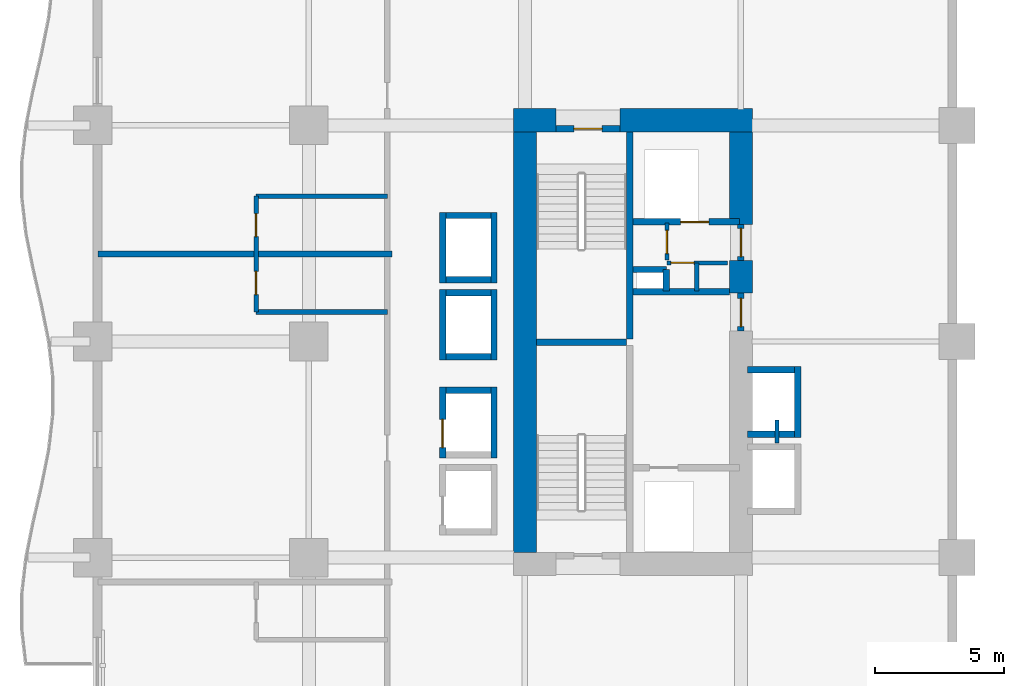
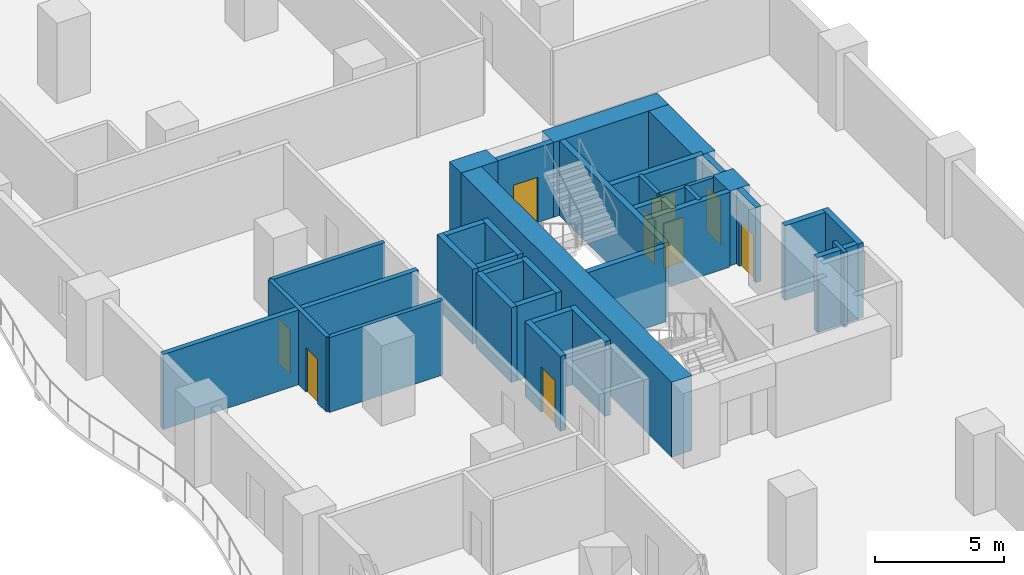
# One storey, part 10 of 20: 36 walls, 9 doors, 9 openings.
"""IFC4 building model written with IfcOpenShell, lengths in metres."""

from ifc_helpers import new_model, si_unit, direction, frame, frame_2d, origin, place, context, subcontext, project, spatial, rectangle, extrude, material, layer, layer_set, type_object, element, fill, save


model = new_model("IFC4")

# Units and contexts
model_context = context("Model", 3, precision=1e-05, world=origin(), true_north=direction((0.0, 1.0)))
body_context = subcontext(model_context, "Body", "Model", "MODEL_VIEW")
ifc_project = project(units=[si_unit("LENGTHUNIT", "METRE"), si_unit("AREAUNIT", "SQUARE_METRE"), si_unit("VOLUMEUNIT", "CUBIC_METRE"), si_unit("PLANEANGLEUNIT", "RADIAN"), si_unit("MASSUNIT", "GRAM", prefix="KILO")], contexts=[model_context])

# Site, building, storey
site_placement = place(None, origin())
site = spatial("IfcSite", under=ifc_project, at=site_placement, CompositionType="ELEMENT")
building_placement = place(site_placement, origin())
building = spatial("IfcBuilding", under=site, at=building_placement, Name="Koriwani Terraces Tower", CompositionType="ELEMENT")
storey_placement = place(building_placement, frame((0.0, 0.0, 73.800048828125)))
storey = spatial("IfcBuildingStorey", under=building, at=storey_placement, Name="L17", CompositionType="ELEMENT", Elevation=73.800048828125)

# Walls
ifc_material_1 = material(Name="Concrete C60/75", Category="concrete")
ifc_layer_1 = layer(ifc_material_1, 0.89990234375, Name="Concrete C60/75")
ifc_layer_set_1 = layer_set([ifc_layer_1], Name="Concrete C60/75")
wall_type_1 = type_object("IfcWallType", Name="WALL_CORE_RC_900", PredefinedType="SHEAR", material=ifc_layer_set_1)
wall_1_placement = place(storey_placement, frame((16.35009765625, 59.0, 0.0), z_axis=(0.0, 0.0, 1.0), x_axis=(1.0, 0.0, 0.0)))
element("IfcWall", 1, at=wall_1_placement, inside=storey, type_object=wall_type_1, Name="L17 West Split Core Shear Wall N1", PredefinedType="SHEAR", context=body_context, shape_type="SweptSolid", body=[
    extrude(rectangle(XDim=1.64990234375, YDim=0.89990234375, at=frame_2d((0.824951171875, 0.0))), origin(), (0.0, 0.0, 1.0), 3.550048828125),
])
wall_2_placement = place(storey_placement, frame((20.5, 59.0, 0.0), z_axis=(0.0, 0.0, 1.0), x_axis=(1.0, 0.0, 0.0)))
element("IfcWall", 2, at=wall_2_placement, inside=storey, type_object=wall_type_1, Name="L17 West Split Core Shear Wall N2", PredefinedType="SHEAR", context=body_context, shape_type="SweptSolid", body=[
    extrude(rectangle(XDim=5.14990234375, YDim=0.89990234375, at=frame_2d((2.574951171875, 0.0))), origin(), (0.0, 0.0, 1.0), 3.550048828125),
])
wall_3_placement = place(storey_placement, frame((16.800048828125, 42.199951171875, 0.0), z_axis=(0.0, 0.0, 1.0), x_axis=(0.0, 1.0, 0.0)))
element("IfcWall", 3, at=wall_3_placement, inside=storey, type_object=wall_type_1, Name="L17 West Split Core Shear Wall W1", PredefinedType="SHEAR", context=body_context, shape_type="SweptSolid", body=[
    extrude(rectangle(XDim=16.35009765625, YDim=0.89990234375, at=frame_2d((8.175048828125, 0.0))), origin(), (0.0, 0.0, 1.0), 3.550048828125),
])
wall_4_placement = place(storey_placement, frame((25.199951171875, 52.280029296875, 0.0), z_axis=(0.0, 0.0, 1.0), x_axis=(0.0, 1.0, 0.0)))
element("IfcWall", 4, at=wall_4_placement, inside=storey, type_object=wall_type_1, Name="L17 West Split Core Shear Wall E2", PredefinedType="SHEAR", context=body_context, shape_type="SweptSolid", body=[
    extrude(rectangle(XDim=1.27001953125, YDim=0.89990234375, at=frame_2d((0.635009765625, 0.0))), origin(), (0.0, 0.0, 1.0), 3.550048828125),
])
wall_5_placement = place(storey_placement, frame((25.199951171875, 54.949951171875, 0.0), z_axis=(0.0, 0.0, 1.0), x_axis=(0.0, 1.0, 0.0)))
element("IfcWall", 5, at=wall_5_placement, inside=storey, type_object=wall_type_1, Name="L17 West Split Core Shear Wall E3", PredefinedType="SHEAR", context=body_context, shape_type="SweptSolid", body=[
    extrude(rectangle(XDim=3.60009765625, YDim=0.89990234375, at=frame_2d((1.800048828125, 0.0))), origin(), (0.0, 0.0, 1.0), 3.550048828125),
])
ifc_material_2 = material(Name="Autoclaved Cellular Concrete Blockwork", Category="masonry")
ifc_layer_2 = layer(ifc_material_2, 0.219970703125, Name="Autoclaved Cellular Concrete Blockwork")
ifc_layer_set_2 = layer_set([ifc_layer_2], Name="Autoclaved Cellular Concrete Blockwork")
wall_type_2 = type_object("IfcWallType", Name="WALL_DEMISING_220", PredefinedType="PARTITIONING", material=ifc_layer_set_2)
wall_6_placement = place(storey_placement, frame((0.199951171875, 53.800048828125, 0.0), z_axis=(0.0, 0.0, 1.0), x_axis=(1.0, 0.0, 0.0)))
element("IfcWall", 6, at=wall_6_placement, inside=storey, type_object=wall_type_2, Name="L17 Interior Wall WDEM-L17-NW-5", PredefinedType="PARTITIONING", context=body_context, shape_type="SweptSolid", body=[
    extrude(rectangle(XDim=11.429931640625, YDim=0.219970703125, at=frame_2d((5.71484375, 0.0))), origin(), (0.0, 0.0, 1.0), 3.550048828125),
])

# Wall, openings, doors
ifc_material_3 = material(Name="Fire-Rated Acoustic Gypsum Partition", Category="masonry")
ifc_layer_3 = layer(ifc_material_3, 0.179931640625, Name="Fire-Rated Acoustic Gypsum Partition")
ifc_layer_set_3 = layer_set([ifc_layer_3], Name="Fire-Rated Acoustic Gypsum Partition")
wall_type_3 = type_object("IfcWallType", Name="WALL_PLUMBING_180", PredefinedType="PLUMBINGWALL", material=ifc_layer_set_3)
wall_7_placement = place(storey_placement, frame((6.35009765625, 51.550048828125, 0.0), z_axis=(0.0, 0.0, 1.0), x_axis=(0.0, 1.0, 0.0)))
wall_7 = element("IfcWall", 7, at=wall_7_placement, inside=storey, type_object=wall_type_3, Name="L17 Interior Wall WBTH1-L17-NW-4", PredefinedType="PLUMBINGWALL", context=body_context, shape_type="SweptSolid", body=[
    extrude(rectangle(XDim=4.5, YDim=0.179931640625, at=frame_2d((2.25, 0.0))), origin(), (0.0, 0.0, 1.0), 3.550048828125),
])
opening_1_placement = place(wall_7_placement, frame((0.675048828125, 0.0, 0.0)))
opening_1 = element("IfcOpeningElement", 8, at=opening_1_placement, cuts=wall_7, Name="Opening D-07", PredefinedType="OPENING", context=body_context, shape_type="SweptSolid", body=[
    extrude(rectangle(XDim=0.89990234375, YDim=2.10009765625, at=frame_2d((0.449951171875, 1.050048828125))), frame((0.0, 0.10009765625, 0.0), z_axis=(0.0, -1.0, 0.0), x_axis=(1.0, 0.0, 0.0)), (0.0, 0.0, 1.0), 0.199951171875),
])
opening_2_placement = place(wall_7_placement, frame((2.925048828125, 0.0, 0.0)))
opening_2 = element("IfcOpeningElement", 9, at=opening_2_placement, cuts=wall_7, Name="Opening D-07", PredefinedType="OPENING", context=body_context, shape_type="SweptSolid", body=[
    extrude(rectangle(XDim=0.89990234375, YDim=2.10009765625, at=frame_2d((0.449951171875, 1.050048828125))), frame((0.0, 0.10009765625, 0.0), z_axis=(0.0, -1.0, 0.0), x_axis=(1.0, 0.0, 0.0)), (0.0, 0.0, 1.0), 0.199951171875),
])
ifc_material_4 = material(Name="Architectural Oak Fire Door", Category="wood")
door_type_1 = type_object("IfcDoorType", Name="DOOR_BATH_INT_900X2100", OperationType="NOTDEFINED", PredefinedType="DOOR", material=ifc_material_4)
door_1_placement = place(opening_1_placement, origin())
door_1 = element("IfcDoor", 10, at=door_1_placement, inside=storey, type_object=door_type_1, Name="En-Suite Bathroom 17NW5 Door", OperationType="SINGLE_SWING_RIGHT", OverallHeight=2.10009765625, OverallWidth=0.89990234375, PredefinedType="DOOR", context=body_context, shape_type="SweptSolid", body=[
    extrude(rectangle(XDim=0.89990234375, YDim=2.10009765625, at=frame_2d((0.449951171875, 1.050048828125))), frame((0.0, 0.02490234375, 0.0), z_axis=(0.0, -1.0, 0.0), x_axis=(1.0, 0.0, 0.0)), (0.0, 0.0, 1.0), 0.050048828125),
])
fill(opening_1, door_1)
door_2_placement = place(opening_2_placement, origin())
door_2 = element("IfcDoor", 11, at=door_2_placement, inside=storey, type_object=door_type_1, Name="En-Suite Bathroom 17NW6 Door", OperationType="SINGLE_SWING_RIGHT", OverallHeight=2.10009765625, OverallWidth=0.89990234375, PredefinedType="DOOR", context=body_context, shape_type="SweptSolid", body=[
    extrude(rectangle(XDim=0.89990234375, YDim=2.10009765625, at=frame_2d((0.449951171875, 1.050048828125))), frame((0.0, 0.02490234375, 0.0), z_axis=(0.0, -1.0, 0.0), x_axis=(1.0, 0.0, 0.0)), (0.0, 0.0, 1.0), 0.050048828125),
])
fill(opening_2, door_2)

# Walls
for number, where, z_axis, x_axis, name in (
    (12, (6.35009765625, 51.550048828125, 0.0), (0.0, 0.0, 1.0), (1.0, 0.0, 0.0), "L17 Interior Wall WBTH2-L17-NW-4"),
    (13, (6.35009765625, 56.050048828125, 0.0), (0.0, 0.0, 1.0), (1.0, 0.0, 0.0), "L17 Interior Wall WBTH2-L17-NW-5"),
):
    element("IfcWall", number, at=place(storey_placement, frame(where, z_axis=z_axis, x_axis=x_axis)), inside=storey, type_object=wall_type_3, Name=name, PredefinedType="PLUMBINGWALL", context=body_context, shape_type="SweptSolid", body=[
        extrude(rectangle(XDim=5.099853515625, YDim=0.179931640625, at=frame_2d((2.5498046875, 0.0))), origin(), (0.0, 0.0, 1.0), 3.550048828125),
    ])
ifc_material_5 = material(Name="Concrete C40/50", Category="concrete")
ifc_layer_4 = layer(ifc_material_5, 0.25, Name="Concrete C40/50")
ifc_layer_set_4 = layer_set([ifc_layer_4], Name="Concrete C40/50")
wall_type_4 = type_object("IfcWallType", Name="WALL_SHAFT_RATED_250", PredefinedType="SOLIDWALL", material=ifc_layer_set_4)
wall_8_placement = place(storey_placement, frame((20.875, 50.5, 0.0), z_axis=(0.0, 0.0, 1.0), x_axis=(0.0, 1.0, 0.0)))
element("IfcWall", 14, at=wall_8_placement, inside=storey, type_object=wall_type_4, Name="L17 West Split Core Web Wall MID2", PredefinedType="SOLIDWALL", context=body_context, shape_type="SweptSolid", body=[
    extrude(rectangle(XDim=8.050048828125, YDim=0.25, at=frame_2d((4.02490234375, 0.0))), origin(), (0.0, 0.0, 1.0), 3.550048828125),
])
wall_9_placement = place(storey_placement, frame((17.25, 50.375, 0.0), z_axis=(0.0, 0.0, 1.0), x_axis=(1.0, 0.0, 0.0)))
element("IfcWall", 15, at=wall_9_placement, inside=storey, type_object=wall_type_4, Name="L17 West Split Core Stair Dividing Wall", PredefinedType="SOLIDWALL", context=body_context, shape_type="SweptSolid", body=[
    extrude(rectangle(XDim=3.5, YDim=0.25, at=frame_2d((1.75, 0.0))), origin(), (0.0, 0.0, 1.0), 3.550048828125),
])

# Wall, opening, door
wall_10_placement = place(storey_placement, frame((18.0, 58.675048828125, 0.0), z_axis=(0.0, 0.0, 1.0), x_axis=(1.0, 0.0, 0.0)))
wall_10 = element("IfcWall", 16, at=wall_10_placement, inside=storey, type_object=wall_type_4, Name="L17 Interior Wall WIN-CW-L17-STN", PredefinedType="SOLIDWALL", context=body_context, shape_type="SweptSolid", body=[
    extrude(rectangle(XDim=2.5, YDim=0.25, at=frame_2d((1.25, 0.0))), origin(), (0.0, 0.0, 1.0), 3.550048828125),
])
opening_3_placement = place(wall_10_placement, frame((0.699951171875, 0.0, 0.0)))
opening_3 = element("IfcOpeningElement", 17, at=opening_3_placement, cuts=wall_10, Name="Opening D-03", PredefinedType="OPENING", context=body_context, shape_type="SweptSolid", body=[
    extrude(rectangle(XDim=1.10009765625, YDim=2.14990234375, at=frame_2d((0.550048828125, 1.074951171875))), frame((0.0, 0.135009765625, 0.0), z_axis=(0.0, -1.0, 0.0), x_axis=(1.0, 0.0, 0.0)), (0.0, 0.0, 1.0), 0.27001953125),
])
ifc_material_6 = material(Name="Steel ASTM A572 Grade 50", Category="steel")
door_type_2 = type_object("IfcDoorType", Name="DOOR_STAIR_FIRE_1100X2150", OperationType="NOTDEFINED", PredefinedType="DOOR", material=ifc_material_6)
door_3_placement = place(opening_3_placement, origin())
door_3 = element("IfcDoor", 18, at=door_3_placement, inside=storey, type_object=door_type_2, Name="L17 Exit Stair ST-W2 Door", OperationType="SINGLE_SWING_RIGHT", OverallHeight=2.14990234375, OverallWidth=1.10009765625, PredefinedType="DOOR", context=body_context, shape_type="SweptSolid", body=[
    extrude(rectangle(XDim=1.10009765625, YDim=2.14990234375, at=frame_2d((0.550048828125, 1.074951171875))), frame((0.0, 0.02490234375, 0.0), z_axis=(0.0, -1.0, 0.0), x_axis=(1.0, 0.0, 0.0)), (0.0, 0.0, 1.0), 0.050048828125),
])
fill(opening_3, door_3)

wall_11_placement = place(storey_placement, frame((25.199951171875, 50.800048828125, 0.0), z_axis=(0.0, 0.0, 1.0), x_axis=(0.0, 1.0, 0.0)))
wall_11 = element("IfcWall", 19, at=wall_11_placement, inside=storey, type_object=wall_type_4, Name="L17 Interior Wall WIN-CW-L17-EP", PredefinedType="SOLIDWALL", context=body_context, shape_type="SweptSolid", body=[
    extrude(rectangle(XDim=1.47998046875, YDim=0.25, at=frame_2d((0.739990234375, 0.0))), origin(), (0.0, 0.0, 1.0), 3.550048828125),
])
opening_4_placement = place(wall_11_placement, frame((0.179931640625, 0.0, 0.0)))
opening_4 = element("IfcOpeningElement", 20, at=opening_4_placement, cuts=wall_11, Name="Opening D-03", PredefinedType="OPENING", context=body_context, shape_type="SweptSolid", body=[
    extrude(rectangle(XDim=1.10009765625, YDim=2.14990234375, at=frame_2d((0.550048828125, 1.074951171875))), frame((0.0, 0.135009765625, 0.0), z_axis=(0.0, -1.0, 0.0), x_axis=(1.0, 0.0, 0.0)), (0.0, 0.0, 1.0), 0.27001953125),
])
door_4_placement = place(opening_4_placement, origin())
door_4 = element("IfcDoor", 21, at=door_4_placement, inside=storey, type_object=door_type_2, Name="L17 West Firefighting Lobby Door", OperationType="SINGLE_SWING_LEFT", OverallHeight=2.14990234375, OverallWidth=1.10009765625, PredefinedType="DOOR", context=body_context, shape_type="SweptSolid", body=[
    extrude(rectangle(XDim=1.10009765625, YDim=2.14990234375, at=frame_2d((0.550048828125, 1.074951171875))), frame((0.0, 0.02490234375, 0.0), z_axis=(0.0, -1.0, 0.0), x_axis=(1.0, 0.0, 0.0)), (0.0, 0.0, 1.0), 0.050048828125),
])
fill(opening_4, door_4)

# Wall
wall_12_placement = place(storey_placement, frame((21.0, 52.340087890625, 0.0), z_axis=(0.0, 0.0, 1.0), x_axis=(1.0, 0.0, 0.0)))
element("IfcWall", 22, at=wall_12_placement, inside=storey, type_object=wall_type_4, Name="L17 Interior Wall WIN-CW-L17-FFN", PredefinedType="SOLIDWALL", context=body_context, shape_type="SweptSolid", body=[
    extrude(rectangle(XDim=3.75, YDim=0.25, at=frame_2d((1.875, 0.0))), origin(), (0.0, 0.0, 1.0), 3.550048828125),
])

# Wall, opening, door
wall_13_placement = place(storey_placement, frame((21.0, 55.050048828125, 0.0), z_axis=(0.0, 0.0, 1.0), x_axis=(1.0, 0.0, 0.0)))
wall_13 = element("IfcWall", 23, at=wall_13_placement, inside=storey, type_object=wall_type_4, Name="L17 Interior Wall WIN-CW-L17-SE", PredefinedType="SOLIDWALL", context=body_context, shape_type="SweptSolid", body=[
    extrude(rectangle(XDim=4.14990234375, YDim=0.25, at=frame_2d((2.074951171875, 0.0))), origin(), (0.0, 0.0, 1.0), 3.550048828125),
])
opening_5_placement = place(wall_13_placement, frame((1.85009765625, 0.0, 0.0)))
opening_5 = element("IfcOpeningElement", 24, at=opening_5_placement, cuts=wall_13, Name="Opening LD-01", PredefinedType="OPENING", context=body_context, shape_type="SweptSolid", body=[
    extrude(rectangle(XDim=1.10009765625, YDim=2.14990234375, at=frame_2d((0.550048828125, 1.074951171875))), frame((0.0, 0.135009765625, 0.0), z_axis=(0.0, -1.0, 0.0), x_axis=(1.0, 0.0, 0.0)), (0.0, 0.0, 1.0), 0.27001953125),
])
door_type_3 = type_object("IfcDoorType", Name="DOOR_LIFT_LANDING_1100X2200", OperationType="NOTDEFINED", PredefinedType="DOOR", material=ifc_material_6)
door_5_placement = place(opening_5_placement, origin())
door_5 = element("IfcDoor", 25, at=door_5_placement, inside=storey, type_object=door_type_3, Name="L17 Goods Lift SE-01 Landing Door", OperationType="SLIDING_TO_LEFT", OverallHeight=2.14990234375, OverallWidth=1.10009765625, PredefinedType="DOOR", context=body_context, shape_type="SweptSolid", body=[
    extrude(rectangle(XDim=1.10009765625, YDim=2.14990234375, at=frame_2d((0.550048828125, 1.074951171875))), frame((0.0, 0.02490234375, 0.0), z_axis=(0.0, -1.0, 0.0), x_axis=(1.0, 0.0, 0.0)), (0.0, 0.0, 1.0), 0.050048828125),
])
fill(opening_5, door_5)

wall_14_placement = place(storey_placement, frame((25.199951171875, 53.550048828125, 0.0), z_axis=(0.0, 0.0, 1.0), x_axis=(0.0, 1.0, 0.0)))
wall_14 = element("IfcWall", 26, at=wall_14_placement, inside=storey, type_object=wall_type_4, Name="L17 Interior Wall WIN-CW-L17-EP2", PredefinedType="SOLIDWALL", context=body_context, shape_type="SweptSolid", body=[
    extrude(rectangle(XDim=1.39990234375, YDim=0.25, at=frame_2d((0.699951171875, 0.0))), origin(), (0.0, 0.0, 1.0), 3.550048828125),
])
opening_6_placement = place(wall_14_placement, frame((0.14990234375, 0.0, 0.0)))
opening_6 = element("IfcOpeningElement", 27, at=opening_6_placement, cuts=wall_14, Name="Opening D-03", PredefinedType="OPENING", context=body_context, shape_type="SweptSolid", body=[
    extrude(rectangle(XDim=1.10009765625, YDim=2.14990234375, at=frame_2d((0.550048828125, 1.074951171875))), frame((0.0, 0.135009765625, 0.0), z_axis=(0.0, -1.0, 0.0), x_axis=(1.0, 0.0, 0.0)), (0.0, 0.0, 1.0), 0.27001953125),
])
door_6_placement = place(opening_6_placement, origin())
door_6 = element("IfcDoor", 28, at=door_6_placement, inside=storey, type_object=door_type_2, Name="L17 West Goods Lift Lobby Door", OperationType="SINGLE_SWING_RIGHT", OverallHeight=2.14990234375, OverallWidth=1.10009765625, PredefinedType="DOOR", context=body_context, shape_type="SweptSolid", body=[
    extrude(rectangle(XDim=1.10009765625, YDim=2.14990234375, at=frame_2d((0.550048828125, 1.074951171875))), frame((0.0, 0.02490234375, 0.0), z_axis=(0.0, -1.0, 0.0), x_axis=(1.0, 0.0, 0.0)), (0.0, 0.0, 1.0), 0.050048828125),
])
fill(opening_6, door_6)

# Walls
wall_15_placement = place(storey_placement, frame((21.0, 53.199951171875, 0.0), z_axis=(0.0, 0.0, 1.0), x_axis=(1.0, 0.0, 0.0)))
element("IfcWall", 29, at=wall_15_placement, inside=storey, type_object=wall_type_4, Name="L17 Interior Wall WIN-CW-L17-RS1", PredefinedType="SOLIDWALL", context=body_context, shape_type="SweptSolid", body=[
    extrude(rectangle(XDim=1.300048828125, YDim=0.25, at=frame_2d((0.64990234375, 0.0))), origin(), (0.0, 0.0, 1.0), 3.550048828125),
])
wall_16_placement = place(storey_placement, frame((22.300048828125, 52.360107421875, 0.0), z_axis=(0.0, 0.0, 1.0), x_axis=(0.0, 1.0, 0.0)))
element("IfcWall", 30, at=wall_16_placement, inside=storey, type_object=wall_type_4, Name="L17 Interior Wall WIN-CW-L17-RS2", PredefinedType="SOLIDWALL", context=body_context, shape_type="SweptSolid", body=[
    extrude(rectangle(XDim=0.83984375, YDim=0.25, at=frame_2d((0.419921875, 0.0))), origin(), (0.0, 0.0, 1.0), 3.550048828125),
])

# Wall, opening, door
wall_17_placement = place(storey_placement, frame((13.60009765625, 45.875, 0.0), z_axis=(0.0, 0.0, 1.0), x_axis=(0.0, 1.0, 0.0)))
wall_17 = element("IfcWall", 31, at=wall_17_placement, inside=storey, type_object=wall_type_4, Name="L17 Interior Wall WIN-LF-PE-L2-L17-F", PredefinedType="SOLIDWALL", context=body_context, shape_type="SweptSolid", body=[
    extrude(rectangle(XDim=2.75, YDim=0.25, at=frame_2d((1.375, 0.0))), origin(), (0.0, 0.0, 1.0), 3.550048828125),
])
opening_7_placement = place(wall_17_placement, frame((0.39990234375, 0.0, 0.0)))
opening_7 = element("IfcOpeningElement", 32, at=opening_7_placement, cuts=wall_17, Name="Opening LD-01", PredefinedType="OPENING", context=body_context, shape_type="SweptSolid", body=[
    extrude(rectangle(XDim=1.10009765625, YDim=2.14990234375, at=frame_2d((0.550048828125, 1.074951171875))), frame((0.0, 0.135009765625, 0.0), z_axis=(0.0, -1.0, 0.0), x_axis=(1.0, 0.0, 0.0)), (0.0, 0.0, 1.0), 0.27001953125),
])
door_7_placement = place(opening_7_placement, origin())
door_7 = element("IfcDoor", 33, at=door_7_placement, inside=storey, type_object=door_type_3, Name="L17 Passenger Lift PE-L2 Landing Door", OperationType="SLIDING_TO_LEFT", OverallHeight=2.14990234375, OverallWidth=1.10009765625, PredefinedType="DOOR", context=body_context, shape_type="SweptSolid", body=[
    extrude(rectangle(XDim=1.10009765625, YDim=2.14990234375, at=frame_2d((0.550048828125, 1.074951171875))), frame((0.0, 0.02490234375, 0.0), z_axis=(0.0, -1.0, 0.0), x_axis=(1.0, 0.0, 0.0)), (0.0, 0.0, 1.0), 0.050048828125),
])
fill(opening_7, door_7)

# Walls
wall_18_placement = place(storey_placement, frame((15.60009765625, 45.875, 0.0), z_axis=(0.0, 0.0, 1.0), x_axis=(0.0, 1.0, 0.0)))
element("IfcWall", 34, at=wall_18_placement, inside=storey, type_object=wall_type_4, Name="L17 Interior Wall WIN-LF-PE-L2-L17-B", PredefinedType="SOLIDWALL", context=body_context, shape_type="SweptSolid", body=[
    extrude(rectangle(XDim=2.75, YDim=0.25, at=frame_2d((1.375, 0.0))), origin(), (0.0, 0.0, 1.0), 3.550048828125),
])
wall_19_placement = place(storey_placement, frame((13.72509765625, 48.5, 0.0), z_axis=(0.0, 0.0, 1.0), x_axis=(1.0, 0.0, 0.0)))
element("IfcWall", 35, at=wall_19_placement, inside=storey, type_object=wall_type_4, Name="L17 Interior Wall WIN-LF-PE-L2-L17-N", PredefinedType="SOLIDWALL", context=body_context, shape_type="SweptSolid", body=[
    extrude(rectangle(XDim=1.75, YDim=0.25, at=frame_2d((0.875, 0.0))), origin(), (0.0, 0.0, 1.0), 3.550048828125),
])
for number, where, z_axis, x_axis, name in (
    (36, (13.60009765625, 49.675048828125, 0.0), (0.0, 0.0, 1.0), (0.0, 1.0, 0.0), "L17 Interior Wall WIN-LF-PE-M1-L17-F"),
    (37, (15.60009765625, 49.675048828125, 0.0), (0.0, 0.0, 1.0), (0.0, 1.0, 0.0), "L17 Interior Wall WIN-LF-PE-M1-L17-B"),
):
    element("IfcWall", number, at=place(storey_placement, frame(where, z_axis=z_axis, x_axis=x_axis)), inside=storey, type_object=wall_type_4, Name=name, PredefinedType="SOLIDWALL", context=body_context, shape_type="SweptSolid", body=[
        extrude(rectangle(XDim=2.75, YDim=0.25, at=frame_2d((1.375, 0.0))), origin(), (0.0, 0.0, 1.0), 3.550048828125),
    ])
for number, where, z_axis, x_axis, name in (
    (38, (13.72509765625, 49.800048828125, 0.0), (0.0, 0.0, 1.0), (1.0, 0.0, 0.0), "L17 Interior Wall WIN-LF-PE-M1-L17-S"),
    (39, (13.72509765625, 52.300048828125, 0.0), (0.0, 0.0, 1.0), (1.0, 0.0, 0.0), "L17 Interior Wall WIN-LF-PE-M1-L17-N"),
):
    element("IfcWall", number, at=place(storey_placement, frame(where, z_axis=z_axis, x_axis=x_axis)), inside=storey, type_object=wall_type_4, Name=name, PredefinedType="SOLIDWALL", context=body_context, shape_type="SweptSolid", body=[
        extrude(rectangle(XDim=1.75, YDim=0.25, at=frame_2d((0.875, 0.0))), origin(), (0.0, 0.0, 1.0), 3.550048828125),
    ])
for number, where, z_axis, x_axis, name in (
    (40, (13.60009765625, 52.675048828125, 0.0), (0.0, 0.0, 1.0), (0.0, 1.0, 0.0), "L17 Interior Wall WIN-LF-PE-M2-L17-F"),
    (41, (15.60009765625, 52.675048828125, 0.0), (0.0, 0.0, 1.0), (0.0, 1.0, 0.0), "L17 Interior Wall WIN-LF-PE-M2-L17-B"),
):
    element("IfcWall", number, at=place(storey_placement, frame(where, z_axis=z_axis, x_axis=x_axis)), inside=storey, type_object=wall_type_4, Name=name, PredefinedType="SOLIDWALL", context=body_context, shape_type="SweptSolid", body=[
        extrude(rectangle(XDim=2.75, YDim=0.25, at=frame_2d((1.375, 0.0))), origin(), (0.0, 0.0, 1.0), 3.550048828125),
    ])
for number, where, z_axis, x_axis, name in (
    (42, (13.72509765625, 52.800048828125, 0.0), (0.0, 0.0, 1.0), (1.0, 0.0, 0.0), "L17 Interior Wall WIN-LF-PE-M2-L17-S"),
    (43, (13.72509765625, 55.300048828125, 0.0), (0.0, 0.0, 1.0), (1.0, 0.0, 0.0), "L17 Interior Wall WIN-LF-PE-M2-L17-N"),
):
    element("IfcWall", number, at=place(storey_placement, frame(where, z_axis=z_axis, x_axis=x_axis)), inside=storey, type_object=wall_type_4, Name=name, PredefinedType="SOLIDWALL", context=body_context, shape_type="SweptSolid", body=[
        extrude(rectangle(XDim=1.75, YDim=0.25, at=frame_2d((0.875, 0.0))), origin(), (0.0, 0.0, 1.0), 3.550048828125),
    ])
wall_20_placement = place(storey_placement, frame((27.39990234375, 46.675048828125, 0.0), z_axis=(0.0, 0.0, 1.0), x_axis=(0.0, 1.0, 0.0)))
element("IfcWall", 44, at=wall_20_placement, inside=storey, type_object=wall_type_4, Name="L17 Interior Wall WIN-LF-PE-H2-L17-F", PredefinedType="SOLIDWALL", context=body_context, shape_type="SweptSolid", body=[
    extrude(rectangle(XDim=2.75, YDim=0.25, at=frame_2d((1.375, 0.0))), origin(), (0.0, 0.0, 1.0), 3.550048828125),
])
for number, where, z_axis, x_axis, name in (
    (45, (25.449951171875, 46.800048828125, 0.0), (0.0, 0.0, 1.0), (1.0, 0.0, 0.0), "L17 Interior Wall WIN-LF-PE-H2-L17-S"),
    (46, (25.449951171875, 49.300048828125, 0.0), (0.0, 0.0, 1.0), (1.0, 0.0, 0.0), "L17 Interior Wall WIN-LF-PE-H2-L17-N"),
):
    element("IfcWall", number, at=place(storey_placement, frame(where, z_axis=z_axis, x_axis=x_axis)), inside=storey, type_object=wall_type_4, Name=name, PredefinedType="SOLIDWALL", context=body_context, shape_type="SweptSolid", body=[
        extrude(rectangle(XDim=1.824951171875, YDim=0.25, at=frame_2d((0.91259765625, 0.0))), origin(), (0.0, 0.0, 1.0), 3.550048828125),
    ])

# Wall, opening, door
ifc_layer_5 = layer(ifc_material_3, 0.159912109375, Name="Fire-Rated Acoustic Gypsum Partition")
ifc_layer_set_5 = layer_set([ifc_layer_5], Name="Fire-Rated Acoustic Gypsum Partition")
wall_type_5 = type_object("IfcWallType", Name="WALL_SUITE_160", PredefinedType="PARTITIONING", material=ifc_layer_set_5)
wall_21_placement = place(storey_placement, frame((22.320068359375, 53.56005859375, 0.0), z_axis=(0.0, 0.0, 1.0), x_axis=(0.0, 1.0, 0.0)))
wall_21 = element("IfcWall", 47, at=wall_21_placement, inside=storey, type_object=wall_type_5, Name="L17 Interior Wall WIN-CW-L17-SV2A", PredefinedType="PARTITIONING", context=body_context, shape_type="SweptSolid", body=[
    extrude(rectangle(XDim=1.43994140625, YDim=0.159912109375, at=frame_2d((0.719970703125, 0.0))), origin(), (0.0, 0.0, 1.0), 3.550048828125),
])
opening_8_placement = place(wall_21_placement, frame((0.260009765625, 0.0, 0.0)))
opening_8 = element("IfcOpeningElement", 48, at=opening_8_placement, cuts=wall_21, Name="Opening D-07", PredefinedType="OPENING", context=body_context, shape_type="SweptSolid", body=[
    extrude(rectangle(XDim=0.89990234375, YDim=2.10009765625, at=frame_2d((0.449951171875, 1.050048828125))), frame((0.0, 0.08984375, 0.0), z_axis=(0.0, -1.0, 0.0), x_axis=(1.0, 0.0, 0.0)), (0.0, 0.0, 1.0), 0.179931640625),
])
door_8_placement = place(opening_8_placement, origin())
door_8 = element("IfcDoor", 49, at=door_8_placement, inside=storey, type_object=door_type_1, Name="L17 West Meter Room Door", OperationType="SINGLE_SWING_LEFT", OverallHeight=2.10009765625, OverallWidth=0.89990234375, PredefinedType="DOOR", context=body_context, shape_type="SweptSolid", body=[
    extrude(rectangle(XDim=0.89990234375, YDim=2.10009765625, at=frame_2d((0.449951171875, 1.050048828125))), frame((0.0, 0.02490234375, 0.0), z_axis=(0.0, -1.0, 0.0), x_axis=(1.0, 0.0, 0.0)), (0.0, 0.0, 1.0), 0.050048828125),
])
fill(opening_8, door_8)

wall_22_placement = place(storey_placement, frame((22.320068359375, 53.4599609375, 0.0), z_axis=(0.0, 0.0, 1.0), x_axis=(1.0, 0.0, 0.0)))
wall_22 = element("IfcWall", 50, at=wall_22_placement, inside=storey, type_object=wall_type_5, Name="L17 Interior Wall WIN-CW-L17-SV2H", PredefinedType="PARTITIONING", context=body_context, shape_type="SweptSolid", body=[
    extrude(rectangle(XDim=2.35986328125, YDim=0.159912109375, at=frame_2d((1.179931640625, 0.0))), origin(), (0.0, 0.0, 1.0), 3.550048828125),
])
opening_9_placement = place(wall_22_placement, frame((0.159912109375, 0.0, 0.0)))
opening_9 = element("IfcOpeningElement", 51, at=opening_9_placement, cuts=wall_22, Name="Opening D-07", PredefinedType="OPENING", context=body_context, shape_type="SweptSolid", body=[
    extrude(rectangle(XDim=0.89990234375, YDim=2.10009765625, at=frame_2d((0.449951171875, 1.050048828125))), frame((0.0, 0.08984375, 0.0), z_axis=(0.0, -1.0, 0.0), x_axis=(1.0, 0.0, 0.0)), (0.0, 0.0, 1.0), 0.179931640625),
])
door_9_placement = place(opening_9_placement, origin())
door_9 = element("IfcDoor", 52, at=door_9_placement, inside=storey, type_object=door_type_1, Name="L17 West Valve Room Door", OperationType="SINGLE_SWING_RIGHT", OverallHeight=2.10009765625, OverallWidth=0.89990234375, PredefinedType="DOOR", context=body_context, shape_type="SweptSolid", body=[
    extrude(rectangle(XDim=0.89990234375, YDim=2.10009765625, at=frame_2d((0.449951171875, 1.050048828125))), frame((0.0, 0.02490234375, 0.0), z_axis=(0.0, -1.0, 0.0), x_axis=(1.0, 0.0, 0.0)), (0.0, 0.0, 1.0), 0.050048828125),
])
fill(opening_9, door_9)

# Walls
wall_23_placement = place(storey_placement, frame((23.47998046875, 52.360107421875, 0.0), z_axis=(0.0, 0.0, 1.0), x_axis=(0.0, 1.0, 0.0)))
element("IfcWall", 53, at=wall_23_placement, inside=storey, type_object=wall_type_5, Name="L17 Interior Wall WIN-CW-L17-SV2V", PredefinedType="PARTITIONING", context=body_context, shape_type="SweptSolid", body=[
    extrude(rectangle(XDim=1.099853515625, YDim=0.159912109375, at=frame_2d((0.5498046875, 0.0))), origin(), (0.0, 0.0, 1.0), 3.550048828125),
])
wall_24_placement = place(storey_placement, frame((26.60009765625, 46.4599609375, 0.0), z_axis=(0.0, 0.0, 1.0), x_axis=(0.0, 1.0, 0.0)))
element("IfcWall", 54, at=wall_24_placement, inside=storey, type_object=wall_type_5, Name="L17 Interior Wall WIN-LF-PEH12-MID-L17", PredefinedType="PARTITIONING", context=body_context, shape_type="SweptSolid", body=[
    extrude(rectangle(XDim=0.880126953125, YDim=0.159912109375, at=frame_2d((0.43994140625, 0.0))), origin(), (0.0, 0.0, 1.0), 3.550048828125),
])

save(model, "model.ifc")
